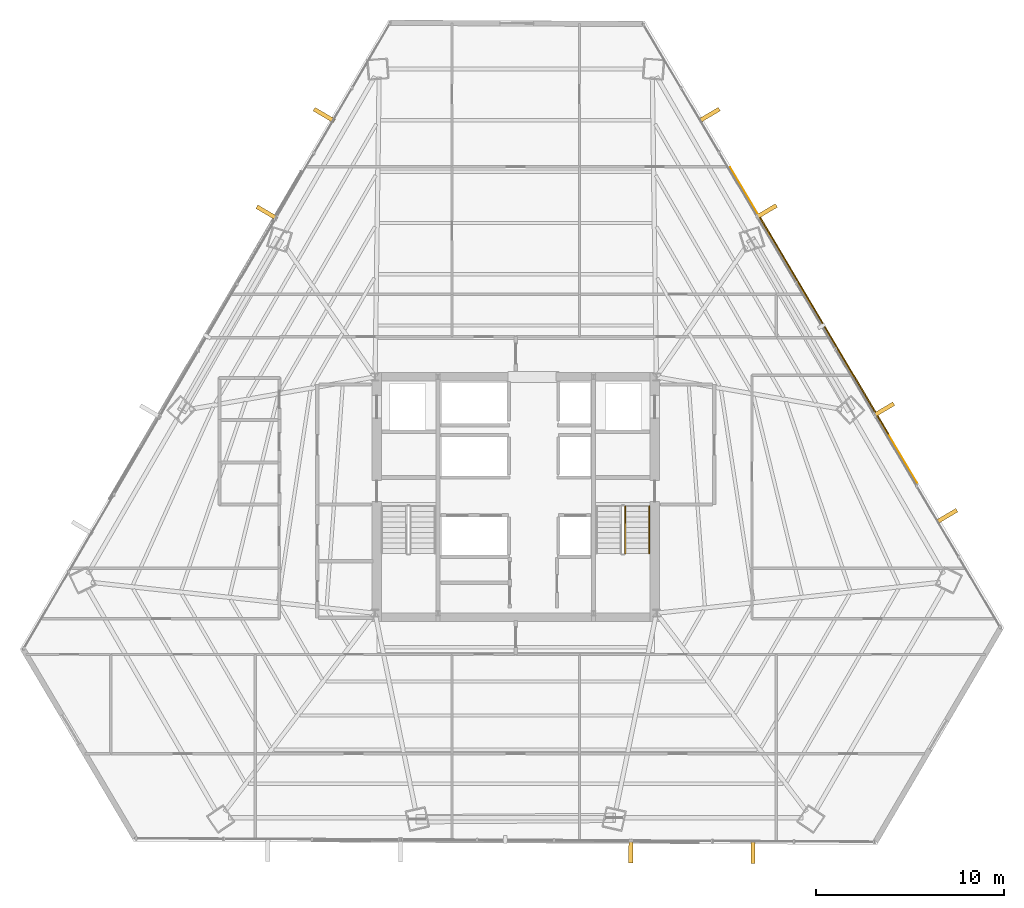
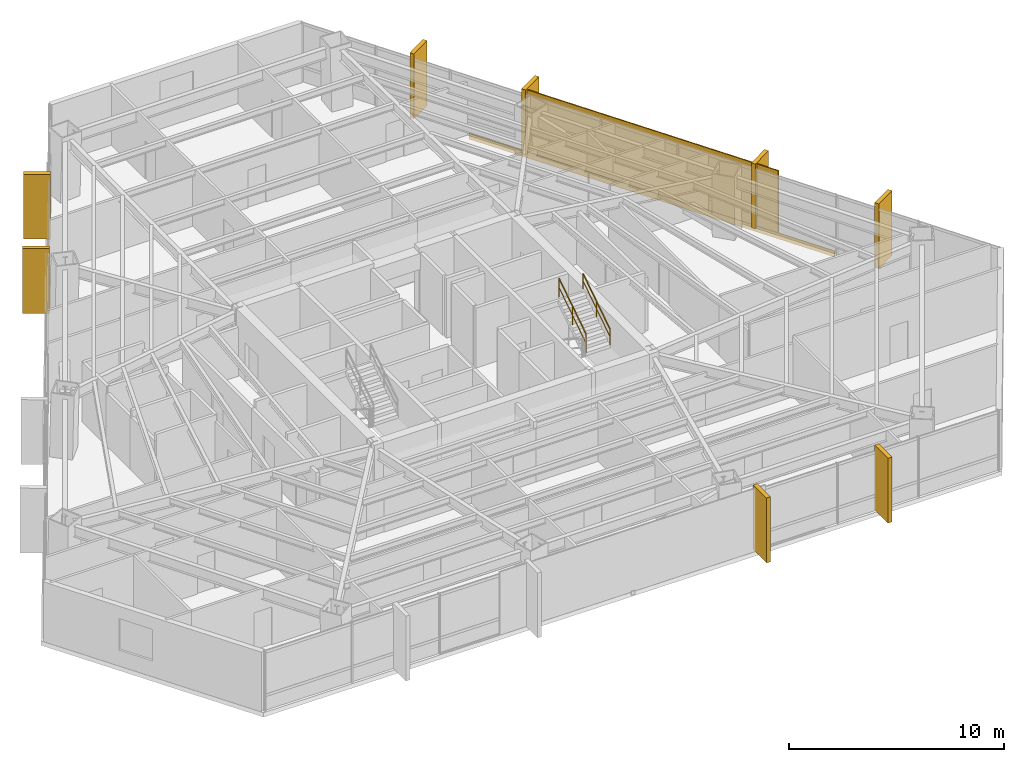
# One storey, part 35 of 35: 9 coverings, 2 railings, 1 shading device.
"""IFC4 building model written with IfcOpenShell, lengths in metres."""

from ifc_helpers import new_model, si_unit, direction, frame, origin, origin_2d, place, context, subcontext, project, spatial, rectangle, extrude, source, transform, mapped, material, layer, layer_set, type_object, type_shapes, element, save


model = new_model("IFC4")

# Units and contexts
model_context = context("Model", 3, precision=1e-05, world=origin(), true_north=direction((0.0, 1.0)))
body_context = subcontext(model_context, "Body", "Model", "MODEL_VIEW")
ifc_project = project(units=[si_unit("LENGTHUNIT", "METRE"), si_unit("AREAUNIT", "SQUARE_METRE"), si_unit("VOLUMEUNIT", "CUBIC_METRE"), si_unit("PLANEANGLEUNIT", "RADIAN"), si_unit("MASSUNIT", "GRAM", prefix="KILO")], contexts=[model_context])

# Site, building, storey
site_placement = place(None, origin())
site = spatial("IfcSite", under=ifc_project, at=site_placement, CompositionType="ELEMENT")
building_placement = place(site_placement, origin())
building = spatial("IfcBuilding", under=site, at=building_placement, Name="Caelisora Broadcast Tower", CompositionType="ELEMENT")
storey_placement = place(building_placement, frame((0.0, 0.0, 109.050048828125)))
storey = spatial("IfcBuildingStorey", under=building, at=storey_placement, Name="L28", CompositionType="ELEMENT", Elevation=109.050048828125)

# Railings
ifc_material_1 = material(Name="Galvanised Steel Safety Guardrail", Category="steel")
ifc_layer_1 = layer(ifc_material_1, 0.048095703125, Name="Galvanised Steel Safety Guardrail")
ifc_layer_set_1 = layer_set([ifc_layer_1], Name="Galvanised Steel Safety Guardrail")
railing_type_1 = type_object("IfcRailingType", Name="GR-1", PredefinedType="GUARDRAIL", material=ifc_layer_set_1)
railing_1_placement = place(storey_placement, frame((43.830078125, 20.580078125, 2.007568359375)))
element("IfcRailing", 1, at=railing_1_placement, inside=storey, type_object=railing_type_1, Name="L28 ST-2 stair guard 3", PredefinedType="GUARDRAIL", context=body_context, shape_type="SweptSolid", body=[
    extrude(rectangle(XDim=0.048095703125, YDim=0.048095703125, at=origin_2d()), frame((0.0, 0.0, 1.076171875), z_axis=(0.0, 0.837786554691, 0.545997883492), x_axis=(-1.0, 0.0, 0.0)), (0.0, 0.0, 1.0), 3.008056640625),
    extrude(rectangle(XDim=0.03125, YDim=0.03125, at=origin_2d()), frame((0.0, 0.0, 0.550048828125), z_axis=(0.0, 0.837786554691, 0.545997883492), x_axis=(-1.0, 0.0, 0.0)), (0.0, 0.0, 1.0), 3.008056640625),
    extrude(rectangle(XDim=0.0419921875, YDim=0.0419921875, at=origin_2d()), origin(), (0.0, 0.0, 1.0), 1.052001953125),
    extrude(rectangle(XDim=0.0419921875, YDim=0.0419921875, at=origin_2d()), frame((0.0, 1.260009765625, 0.8212890625)), (0.0, 0.0, 1.0), 1.052001953125),
    extrude(rectangle(XDim=0.0419921875, YDim=0.0419921875, at=origin_2d()), frame((0.0, 2.52001953125, 1.642333984375)), (0.0, 0.0, 1.0), 1.052001953125),
])
ifc_material_2 = material(Name="Stainless Steel Grade 316 Tubular Handrail", Category="steel")
ifc_layer_2 = layer(ifc_material_2, 0.048095703125, Name="Stainless Steel Grade 316 Tubular Handrail")
ifc_layer_set_2 = layer_set([ifc_layer_2], Name="Stainless Steel Grade 316 Tubular Handrail")
railing_type_2 = type_object("IfcRailingType", Name="HR-1", PredefinedType="HANDRAIL", material=ifc_layer_set_2)
railing_2_placement = place(storey_placement, frame((45.1298828125, 20.580078125, 2.007568359375)))
element("IfcRailing", 2, at=railing_2_placement, inside=storey, type_object=railing_type_2, Name="L28 ST-2 stair handrail 2", PredefinedType="HANDRAIL", context=body_context, shape_type="SweptSolid", body=[
    extrude(rectangle(XDim=0.048095703125, YDim=0.048095703125, at=origin_2d()), frame((0.0, 0.0, 0.8759765625), z_axis=(0.0, 0.837786554691, 0.545997883492), x_axis=(-1.0, 0.0, 0.0)), (0.0, 0.0, 1.0), 3.008056640625),
    extrude(rectangle(XDim=0.03125, YDim=0.03125, at=origin_2d()), frame((0.0, 0.0, 0.449951171875), z_axis=(0.0, 0.837786554691, 0.545997883492), x_axis=(-1.0, 0.0, 0.0)), (0.0, 0.0, 1.0), 3.008056640625),
    extrude(rectangle(XDim=0.0419921875, YDim=0.0419921875, at=origin_2d()), origin(), (0.0, 0.0, 1.0), 0.851806640625),
    extrude(rectangle(XDim=0.0419921875, YDim=0.0419921875, at=origin_2d()), frame((0.0, 1.260009765625, 0.8212890625)), (0.0, 0.0, 1.0), 0.851806640625),
    extrude(rectangle(XDim=0.0419921875, YDim=0.0419921875, at=origin_2d()), frame((0.0, 2.52001953125, 1.642333984375)), (0.0, 0.0, 1.0), 0.851806640625),
])

# Coverings
ifc_material_3 = material(Name="Kiln-Fired Terracotta Spandrel Rainscreen Cladding", Category="ceramic")
ifc_layer_3 = layer(ifc_material_3, 0.044921875, Name="Kiln-Fired Terracotta Spandrel Rainscreen Cladding")
ifc_layer_set_3 = layer_set([ifc_layer_3], Name="Kiln-Fired Terracotta Spandrel Rainscreen Cladding")
covering_type = type_object("IfcCoveringType", Name="CL-1", PredefinedType="CLADDING", material=ifc_layer_set_3)
shared_shape_1 = source(origin(), body_context, "Body", "SweptSolid", [
    extrude(rectangle(XDim=0.219970703125, YDim=1.25, at=origin_2d()), origin(), (0.0, 0.0, 1.0), 3.68994140625),
])
for number, where, z_axis, x_axis, name in (
    (3, (48.319580078125, 43.967529296875, -0.02001953125), (0.0, 0.0, 1.0), (0.509492029423, -0.860475375565, 0.0), "L28 vertical solar fin cladding #1-1"),
    (4, (51.363525390625, 38.82666015625, -0.02001953125), (0.0, 0.0, 1.0), (0.509492029423, -0.860475375565, 0.0), "L28 vertical solar fin cladding #1-2"),
    (5, (57.622802734375, 28.255126953125, -0.02001953125), (0.0, 0.0, 1.0), (0.509492029423, -0.860475375565, 0.0), "L28 vertical solar fin cladding #1-3"),
    (6, (60.984375, 22.57763671875, -0.02001953125), (0.0, 0.0, 1.0), (0.509492029423, -0.860475375565, 0.0), "L28 vertical solar fin cladding #1-4"),
    (7, (50.65673828125, 4.677978515625, -0.02001953125), (0.0, 0.0, 1.0), (-0.999989703949, 0.004537840481, 0.0), "L28 vertical solar fin cladding #2-1"),
    (8, (44.13525390625, 4.7080078125, -0.02001953125), (0.0, 0.0, 1.0), (-0.999989703949, 0.004537840481, 0.0), "L28 vertical solar fin cladding #2-2"),
    (9, (24.734375, 38.76171875, -0.02001953125), (0.0, 0.0, 1.0), (0.505582083675, 0.862778509623, 0.0), "L28 vertical solar fin cladding #3-3"),
    (10, (27.783203125, 43.965576171875, -0.02001953125), (0.0, 0.0, 1.0), (0.505582083675, 0.862778509623, 0.0), "L28 vertical solar fin cladding #3-4"),
):
    element("IfcCovering", number, at=place(storey_placement, frame(where, z_axis=z_axis, x_axis=x_axis)), inside=storey, type_object=covering_type, Name=name, PredefinedType="CLADDING", context=body_context, shape_type="MappedRepresentation", body=[
        mapped(shared_shape_1, transform((0.0, 0.0, 0.0), scale=1.0)),
    ])

# Shading device
ifc_material_4 = material(Name="Perforated Glazed Terracotta Baguette Solar Screen", Category="ceramic")
ifc_layer_4 = layer(ifc_material_4, 0.06494140625, Name="Perforated Glazed Terracotta Baguette Solar Screen")
ifc_layer_set_4 = layer_set([ifc_layer_4], Name="Perforated Glazed Terracotta Baguette Solar Screen")
shading_device_type = type_object("IfcShadingDeviceType", Name="SS-1", PredefinedType="USERDEFINED", material=ifc_layer_set_4)
shared_shape_2 = source(origin(), body_context, "Body", "SweptSolid", [
    extrude(rectangle(XDim=13.537109375, YDim=0.06494140625, at=origin_2d()), origin(), (0.0, 0.0, 1.0), 3.590087890625),
])
type_shapes(shading_device_type, [shared_shape_2])
shading_device_placement = place(storey_placement, frame((54.424560546875, 32.773681640625, 0.0), z_axis=(0.0, 0.0, 1.0), x_axis=(-0.509492029423, 0.860475375565, 0.0)))
element("IfcShadingDevice", 11, at=shading_device_placement, inside=storey, type_object=shading_device_type, Name="L28 perforated terracotta solar screen #3", ObjectType="SOLAR SCREEN", PredefinedType="USERDEFINED", context=body_context, shape_type="MappedRepresentation", body=[
    mapped(shared_shape_2, transform((0.0, 0.0, 0.0), scale=1.0)),
])

# Covering
shared_shape_3 = source(origin(), body_context, "Body", "SweptSolid", [
    extrude(rectangle(XDim=19.553955078125, YDim=0.044921875, at=origin_2d()), origin(), (0.0, 0.0, 1.0), 0.340087890625),
])
type_shapes(covering_type, [shared_shape_1, shared_shape_3])
covering_placement = place(storey_placement, frame((54.407470703125, 32.763427734375, -0.27001953125), z_axis=(0.0, 0.0, 1.0), x_axis=(-0.509492029423, 0.860475375565, 0.0)))
element("IfcCovering", 12, at=covering_placement, inside=storey, type_object=covering_type, Name="L28 terracotta spandrel rainscreen #3", PredefinedType="CLADDING", context=body_context, shape_type="MappedRepresentation", body=[
    mapped(shared_shape_3, transform((0.0, 0.0, 0.0), scale=1.0)),
])

save(model, "model.ifc")
